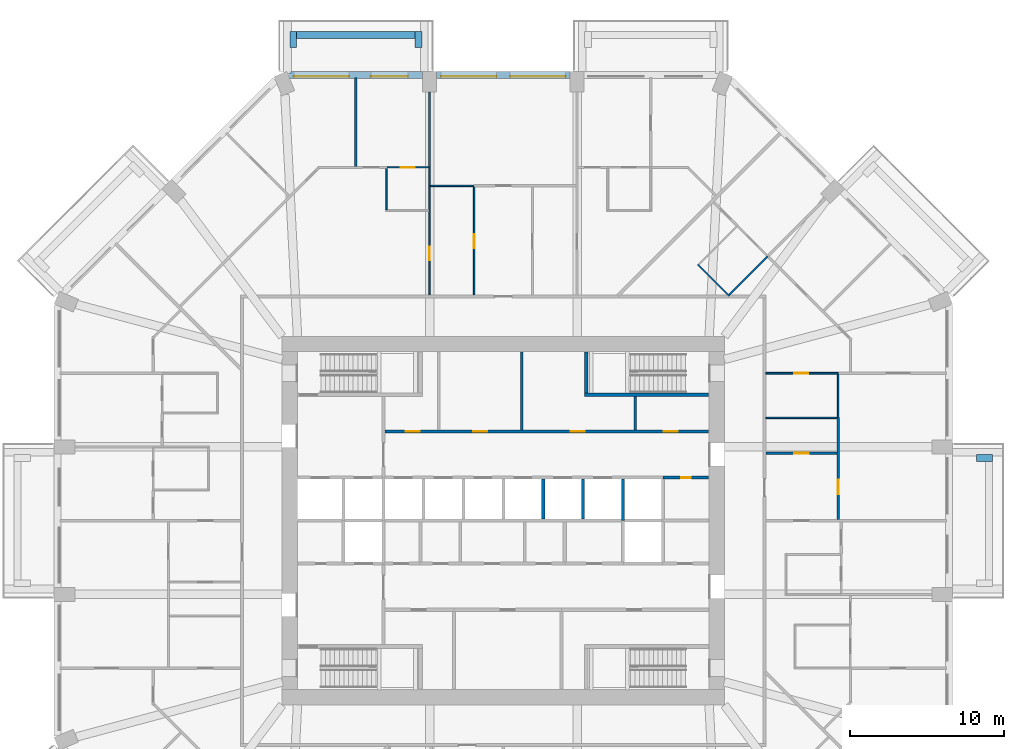
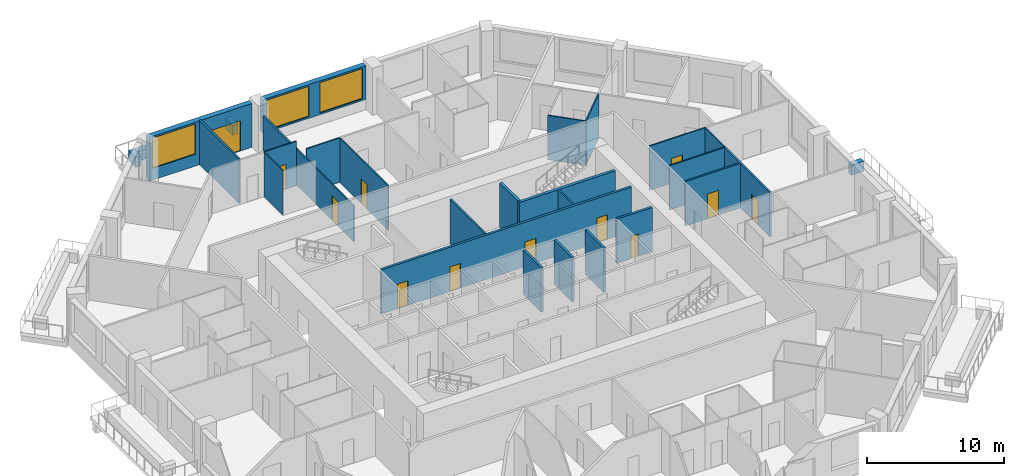
# One storey, part 9 of 13: 29 walls, 12 doors, 3 windows, 15 openings.
"""IFC4 building model written with IfcOpenShell, lengths in metres."""

import ifcopenshell
import ifcopenshell.guid

model = None  # the IFC model being written
_history = None  # IfcOwnerHistory: only IFC2X3 demands one
_inside = {}  # id of a spatial element -> (the spatial element, [elements in it])
_under = {}  # id of a project, library or spatial element -> (it, [spatial elements below it])
_declared = {}  # id of a project -> (the project, [libraries it declares])
_typed = {}  # id of a type object -> (the type object, [elements of that type])
_made_of = {}  # id of a material, layer set ... -> (it, [elements and type objects made of it])


def new_model(schema):
    """Start an empty IFC model of exactly this schema.

    Asked for "IFC4X3", IfcOpenShell would pick the latest addendum, in which some entities
    have other attributes; the version numbers below select the first issue.
    IFC2X3 requires an IfcOwnerHistory on every rooted entity: one is made here for all.
    """
    global model, _history
    if schema == "IFC4X3":
        model = ifcopenshell.file(schema_version=(4, 3, 0, 0))
    else:
        model = ifcopenshell.file(schema=schema)
    _inside.clear()
    _under.clear()
    _declared.clear()
    _typed.clear()
    _made_of.clear()
    _history = None
    if model.schema == "IFC2X3":
        org = make("IfcOrganization", Name="unknown")
        user = make(
            "IfcPersonAndOrganization",
            ThePerson=make("IfcPerson", FamilyName="unknown"),
            TheOrganization=org,
        )
        app = make(
            "IfcApplication",
            ApplicationDeveloper=org,
            Version="unknown",
            ApplicationFullName="unknown",
            ApplicationIdentifier="unknown",
        )
        _history = make(
            "IfcOwnerHistory",
            OwningUser=user,
            OwningApplication=app,
            ChangeAction="ADDED",
            CreationDate=0,
        )
    return model


def make(cls, **values):
    """One entity of the class cls with the attributes given. An attribute that is None is left unset."""
    return model.create_entity(
        cls, **{name: value for name, value in values.items() if value is not None}
    )


def rooted(cls, **values):
    """An entity with a GlobalId (a new one), such as an element, a storey or a relation."""
    return make(cls, GlobalId=ifcopenshell.guid.new(), OwnerHistory=_history, **values)


def si_unit(unit_type, name, prefix=None):
    """IfcSIUnit, for example si_unit("LENGTHUNIT", "METRE", prefix="MILLI")."""
    return make("IfcSIUnit", UnitType=unit_type, Prefix=prefix, Name=name)


def assignment(units):
    """IfcUnitAssignment: the units of a project."""
    return None if units is None else make("IfcUnitAssignment", Units=units)


def point(xyz):
    """IfcCartesianPoint."""
    return None if xyz is None else make("IfcCartesianPoint", Coordinates=xyz)


def direction(xyz):
    """IfcDirection."""
    return None if xyz is None else make("IfcDirection", DirectionRatios=xyz)


def frame(location, z_axis=None, x_axis=None):
    """IfcAxis2Placement3D, a coordinate frame: its origin and axes. An axis left out is left unset."""
    return make(
        "IfcAxis2Placement3D",
        Location=point(location),
        Axis=direction(z_axis),
        RefDirection=direction(x_axis),
    )


def frame_2d(location, x_axis=None):
    """IfcAxis2Placement2D, a coordinate frame in the plane: its origin and x axis."""
    return make(
        "IfcAxis2Placement2D", Location=point(location), RefDirection=direction(x_axis)
    )


def origin():
    """The frame at (0, 0, 0) with its axes left unset."""
    return frame((0.0, 0.0, 0.0))


def place(relative_to, where):
    """IfcLocalPlacement: puts the frame where relative to a parent placement (None: the world)."""
    return make(
        "IfcLocalPlacement", PlacementRelTo=relative_to, RelativePlacement=where
    )


def context(
    kind, dimensions, precision=None, world=None, true_north=None, identifier=None
):
    """IfcGeometricRepresentationContext, for example the 3D "Model" context."""
    return make(
        "IfcGeometricRepresentationContext",
        ContextIdentifier=identifier,
        ContextType=kind,
        CoordinateSpaceDimension=dimensions,
        Precision=precision,
        WorldCoordinateSystem=world,
        TrueNorth=true_north,
    )


def subcontext(parent, identifier, kind, view, scale=None):
    """IfcGeometricRepresentationSubContext, for example "Body" below "Model"."""
    return make(
        "IfcGeometricRepresentationSubContext",
        ContextIdentifier=identifier,
        ContextType=kind,
        ParentContext=parent,
        TargetScale=scale,
        TargetView=view,
    )


def project(units=None, contexts=None):
    """IfcProject with its units and contexts."""
    return rooted(
        "IfcProject",
        Name="project",
        RepresentationContexts=contexts,
        UnitsInContext=assignment(units),
    )


def spatial(cls, under=None, at=None, **own):
    """A site, building, storey or space (cls), placed at a placement, below another one or the project."""
    s = rooted(cls, ObjectPlacement=at, **own)
    if under is not None:
        _under.setdefault(under.id(), (under, []))[1].append(s)
    return s


def profile(cls, at=None, kind="AREA", **sizes):
    """A parametric profile (cls). Its sizes go by their IFC names, for example OverallWidth=200.0."""
    return make(cls, ProfileType=kind, Position=at, **sizes)


def rectangle(**sizes):
    """IfcRectangleProfileDef."""
    return profile("IfcRectangleProfileDef", **sizes)


def extrude(swept, where, along, depth):
    """IfcExtrudedAreaSolid: the profile swept, set in the frame where, extruded along a direction by depth."""
    return make(
        "IfcExtrudedAreaSolid",
        SweptArea=swept,
        Position=where,
        ExtrudedDirection=direction(along),
        Depth=depth,
    )


def shape(context_of_items, identifier, shape_type, items):
    """IfcShapeRepresentation: the items that make up one representation, for example the "Body"."""
    return make(
        "IfcShapeRepresentation",
        ContextOfItems=context_of_items,
        RepresentationIdentifier=identifier,
        RepresentationType=shape_type,
        Items=items,
    )


def material(Name=None, Category=None):
    """IfcMaterial."""
    return make("IfcMaterial", Name=Name, Category=Category)


def layer(
    of_material, thickness, ventilated=None, Name=None, Category=None, Priority=None
):
    """IfcMaterialLayer: one layer of a wall or slab, of a material (None: an air gap)."""
    return make(
        "IfcMaterialLayer",
        Material=of_material,
        LayerThickness=thickness,
        IsVentilated=ventilated,
        Name=Name,
        Category=Category,
        Priority=Priority,
    )


def layer_set(layers, Name=None):
    """IfcMaterialLayerSet."""
    return make("IfcMaterialLayerSet", MaterialLayers=layers, LayerSetName=Name)


def made_of(thing, what):
    """Note that an element or type object is made of a material, layer set ...; save() writes the relation."""
    if what is not None:
        _made_of.setdefault(what.id(), (what, []))[1].append(thing)
    return thing


def type_object(cls, material=None, **own):
    """A type object (cls), such as IfcWallType, which elements share."""
    return made_of(rooted(cls, **own), material)


def element(
    cls,
    number,
    at=None,
    inside=None,
    cuts=None,
    type_object=None,
    material=None,
    context=None,
    identifier="Body",
    shape_type=None,
    held_by="IfcProductDefinitionShape",
    body=None,
    shapes=None,
    **own,
):
    """One element of the class cls, such as IfcWall. Its Tag is "e" and its number.

    at: its placement. inside: the storey or other place that contains it. cuts: it is an
    opening in that element (IfcRelVoidsElement). A single representation is given by context,
    identifier, shape_type and body (its items); several are given by shapes. held_by: the class
    of the entity that holds the representations. save() writes the other relations.
    """
    e = rooted(cls, Tag="e%d" % number, ObjectPlacement=at, **own)
    if body is not None:
        shapes = [shape(context, identifier, shape_type, body)]
    if shapes is not None:
        e.Representation = make(held_by, Representations=shapes)
    if inside is not None:
        _inside.setdefault(inside.id(), (inside, []))[1].append(e)
    if cuts is not None:
        rooted(
            "IfcRelVoidsElement", RelatingBuildingElement=cuts, RelatedOpeningElement=e
        )
    if type_object is not None:
        _typed.setdefault(type_object.id(), (type_object, []))[1].append(e)
    return made_of(e, material)


def fill(opening, filler):
    """IfcRelFillsElement: the door or window that sits in an opening."""
    return rooted(
        "IfcRelFillsElement",
        RelatingOpeningElement=opening,
        RelatedBuildingElement=filler,
    )


def aggregate(whole, parts):
    """IfcRelAggregates: a whole, such as a stair, and the parts it consists of."""
    return rooted("IfcRelAggregates", RelatingObject=whole, RelatedObjects=parts)


def save(model, path):
    """Write the relations noted so far, then the file.

    IfcRelAggregates (storeys below a building ...), IfcRelContainedInSpatialStructure (elements
    in a storey), IfcRelDefinesByType, IfcRelAssociatesMaterial and IfcRelDeclares: one each for
    every whole, place, type object, material and project.
    """
    for whole, parts in _under.values():
        aggregate(whole, parts)
    for where, things in _inside.values():
        rooted(
            "IfcRelContainedInSpatialStructure",
            RelatedElements=things,
            RelatingStructure=where,
        )
    for kind, things in _typed.values():
        rooted("IfcRelDefinesByType", RelatedObjects=things, RelatingType=kind)
    for what, things in _made_of.values():
        rooted("IfcRelAssociatesMaterial", RelatedObjects=things, RelatingMaterial=what)
    for by, libraries in _declared.values():
        rooted("IfcRelDeclares", RelatingContext=by, RelatedDefinitions=libraries)
    model.write(path)


model = new_model("IFC4")

# Units and contexts
model_context = context("Model", 3, precision=1e-05, world=origin(), true_north=direction((0.0, 1.0)))
body_context = subcontext(model_context, "Body", "Model", "MODEL_VIEW")
ifc_project = project(units=[si_unit("LENGTHUNIT", "METRE"), si_unit("AREAUNIT", "SQUARE_METRE"), si_unit("VOLUMEUNIT", "CUBIC_METRE"), si_unit("PLANEANGLEUNIT", "RADIAN"), si_unit("MASSUNIT", "GRAM", prefix="KILO")], contexts=[model_context])

# Site, building, storey
site_placement = place(None, origin())
site = spatial("IfcSite", under=ifc_project, at=site_placement, CompositionType="ELEMENT")
building_placement = place(site_placement, origin())
building = spatial("IfcBuilding", under=site, at=building_placement, Name="Msitu Wima Residences", CompositionType="ELEMENT")
storey_placement = place(building_placement, frame((0.0, 0.0, 71.699951171875)))
storey = spatial("IfcBuildingStorey", under=building, at=storey_placement, Name="L16", CompositionType="ELEMENT", Elevation=71.699951171875)

# Walls
ifc_material_1 = material(Name="Facing brick")
ifc_layer_1 = layer(ifc_material_1, 0.06494140625, Name="Facing brick")
ifc_material_2 = material(Name="Concrete C40/50", Category="concrete")
ifc_layer_2 = layer(ifc_material_2, 0.156005859375, Name="Concrete C40/50")
ifc_material_3 = material(Name="Waterproofing membrane")
ifc_layer_3 = layer(ifc_material_3, 0.00390625, Name="Waterproofing membrane")
ifc_material_4 = material(Name="Planting soil and planting")
ifc_layer_4 = layer(ifc_material_4, 0.22509765625, Name="Planting soil and planting")
ifc_layer_set_1 = layer_set([ifc_layer_1, ifc_layer_2, ifc_layer_3, ifc_layer_4], Name="Concrete C40/50")
wall_type_1 = type_object("IfcWallType", Name="Balcony planter PLANTER PL450", PredefinedType="USERDEFINED", material=ifc_layer_set_1)
wall_1_placement = place(storey_placement, frame((30.800048828125, 4.074951171875, 0.0), z_axis=(0.0, 0.0, 1.0), x_axis=(1.0, 0.0, 0.0)))
element("IfcWall", 1, at=wall_1_placement, inside=storey, type_object=wall_type_1, Name="Balcony planter E1 L16", ObjectType="PLANTER", PredefinedType="USERDEFINED", context=body_context, shape_type="SweptSolid", body=[
    extrude(rectangle(XDim=1.050048828125, YDim=0.449951171875, at=frame_2d((0.52490234375, 0.0))), origin(), (0.0, 0.0, 1.0), 0.900146484375),
])
wall_2_placement = place(storey_placement, frame((-5.75, 31.625, 0.0), z_axis=(0.0, 0.0, 1.0), x_axis=(-1.0, 0.0, 0.0)))
element("IfcWall", 2, at=wall_2_placement, inside=storey, type_object=wall_type_1, Name="Balcony planter N2 L16", ObjectType="PLANTER", PredefinedType="USERDEFINED", context=body_context, shape_type="SweptSolid", body=[
    extrude(rectangle(XDim=7.699951171875, YDim=0.449951171875, at=frame_2d((3.85009765625, 0.0))), origin(), (0.0, 0.0, 1.0), 0.900146484375),
])
for number, where, z_axis, x_axis, name in (
    (3, (-5.52490234375, 30.800048828125, 0.0), (0.0, 0.0, 1.0), (0.0, 1.0, 0.0), "Balcony planter N2 L16"),
    (4, (-13.675048828125, 30.800048828125, 0.0), (0.0, 0.0, 1.0), (0.0, 1.0, 0.0), "Balcony planter N2 L16"),
):
    element("IfcWall", number, at=place(storey_placement, frame(where, z_axis=z_axis, x_axis=x_axis)), inside=storey, type_object=wall_type_1, Name=name, ObjectType="PLANTER", PredefinedType="USERDEFINED", context=body_context, shape_type="SweptSolid", body=[
        extrude(rectangle(XDim=1.050048828125, YDim=0.449951171875, at=frame_2d((0.52490234375, 0.0))), origin(), (0.0, 0.0, 1.0), 0.900146484375),
    ])

# Wall, openings, windows
ifc_material_5 = material(Name="Brick (red buff mix)", Category="masonry")
ifc_layer_5 = layer(ifc_material_5, 0.449951171875)
ifc_layer_set_2 = layer_set([ifc_layer_5], Name="Brick (red buff mix)")
wall_type_2 = type_object("IfcWallType", Name="Brick infill wall BW450", PredefinedType="SOLIDWALL", material=ifc_layer_set_2)
wall_3_placement = place(storey_placement, frame((4.35009765625, 29.02490234375, 0.900146484375), z_axis=(0.0, 0.0, 1.0), x_axis=(-1.0, 0.0, 0.0)))
wall_3 = element("IfcWall", 5, at=wall_3_placement, inside=storey, type_object=wall_type_2, Name="Brick infill wall L16 N1", PredefinedType="SOLIDWALL", context=body_context, shape_type="SweptSolid", body=[
    extrude(rectangle(XDim=8.7001953125, YDim=0.449951171875, at=frame_2d((4.35009765625, 0.0))), origin(), (0.0, 0.0, 1.0), 3.0),
])
opening_1_placement = place(wall_3_placement, frame((0.300048828125, 0.0, 0.14990234375)))
opening_1 = element("IfcOpeningElement", 6, at=opening_1_placement, cuts=wall_3, Name="Opening W16-17.007", PredefinedType="OPENING", context=body_context, shape_type="SweptSolid", body=[
    extrude(rectangle(XDim=3.60009765625, YDim=2.699951171875, at=frame_2d((1.800048828125, 1.35009765625))), frame((0.0, 0.23486328125, 0.0), z_axis=(0.0, -1.0, 0.0), x_axis=(1.0, 0.0, 0.0)), (0.0, 0.0, 1.0), 0.469970703125),
])
opening_2_placement = place(wall_3_placement, frame((4.800048828125, 0.0, 0.14990234375)))
opening_2 = element("IfcOpeningElement", 7, at=opening_2_placement, cuts=wall_3, Name="Opening W16-17.008", PredefinedType="OPENING", context=body_context, shape_type="SweptSolid", body=[
    extrude(rectangle(XDim=3.60009765625, YDim=2.699951171875, at=frame_2d((1.800048828125, 1.35009765625))), frame((0.0, 0.23486328125, 0.0), z_axis=(0.0, -1.0, 0.0), x_axis=(1.0, 0.0, 0.0)), (0.0, 0.0, 1.0), 0.469970703125),
])
ifc_material_6 = material(Name="Anodised aluminium, bronze finish, clear low-emissivity double glazing", Category="aluminium")
window_type = type_object("IfcWindowType", Name="Window W3600x2700", PartitioningType="DOUBLE_PANEL_VERTICAL", PredefinedType="WINDOW", material=ifc_material_6)
window_1_placement = place(opening_1_placement, origin())
window_1 = element("IfcWindow", 8, at=window_1_placement, inside=storey, type_object=window_type, Name="Window L16 N1.1", OverallHeight=2.699951171875, OverallWidth=3.60009765625, PartitioningType="SINGLE_PANEL", PredefinedType="WINDOW", context=body_context, shape_type="SweptSolid", body=[
    extrude(rectangle(XDim=3.60009765625, YDim=2.699951171875, at=frame_2d((1.800048828125, 1.35009765625))), frame((0.0, 0.135009765625, 0.0), z_axis=(0.0, -1.0, 0.0), x_axis=(1.0, 0.0, 0.0)), (0.0, 0.0, 1.0), 0.06005859375),
])
fill(opening_1, window_1)
window_2_placement = place(opening_2_placement, origin())
window_2 = element("IfcWindow", 9, at=window_2_placement, inside=storey, type_object=window_type, Name="Window L16 N1.2", OverallHeight=2.699951171875, OverallWidth=3.60009765625, PartitioningType="SINGLE_PANEL", PredefinedType="WINDOW", context=body_context, shape_type="SweptSolid", body=[
    extrude(rectangle(XDim=3.60009765625, YDim=2.699951171875, at=frame_2d((1.800048828125, 1.35009765625))), frame((0.0, 0.135009765625, 0.0), z_axis=(0.0, -1.0, 0.0), x_axis=(1.0, 0.0, 0.0)), (0.0, 0.0, 1.0), 0.06005859375),
])
fill(opening_2, window_2)

# Wall, openings, door, window
wall_4_placement = place(storey_placement, frame((-5.25, 29.02490234375, 0.0), z_axis=(0.0, 0.0, 1.0), x_axis=(-1.0, 0.0, 0.0)))
wall_4 = element("IfcWall", 10, at=wall_4_placement, inside=storey, type_object=wall_type_2, Name="Brick infill wall L16 N2", PredefinedType="SOLIDWALL", context=body_context, shape_type="SweptSolid", body=[
    extrude(rectangle(XDim=8.662841796875, YDim=0.449951171875, at=frame_2d((4.33154296875, 0.0))), origin(), (0.0, 0.0, 1.0), 3.900146484375),
])
opening_3_placement = place(wall_4_placement, frame((0.9658203125, 0.0, 0.0)))
opening_3 = element("IfcOpeningElement", 11, at=opening_3_placement, cuts=wall_4, Name="Opening D16-17.003", PredefinedType="OPENING", context=body_context, shape_type="SweptSolid", body=[
    extrude(rectangle(XDim=2.39990234375, YDim=2.699951171875, at=frame_2d((1.199951171875, 1.35009765625))), frame((0.0, 0.23486328125, 0.0), z_axis=(0.0, -1.0, 0.0), x_axis=(1.0, 0.0, 0.0)), (0.0, 0.0, 1.0), 0.469970703125),
])
opening_4_placement = place(wall_4_placement, frame((4.781494140625, 0.0, 1.050048828125)))
opening_4 = element("IfcOpeningElement", 12, at=opening_4_placement, cuts=wall_4, Name="Opening W16-17.009", PredefinedType="OPENING", context=body_context, shape_type="SweptSolid", body=[
    extrude(rectangle(XDim=3.60009765625, YDim=2.699951171875, at=frame_2d((1.800048828125, 1.35009765625))), frame((0.0, 0.23486328125, 0.0), z_axis=(0.0, -1.0, 0.0), x_axis=(1.0, 0.0, 0.0)), (0.0, 0.0, 1.0), 0.469970703125),
])
door_type_1 = type_object("IfcDoorType", Name="Balcony door D2400x2700", OperationType="SLIDING_TO_LEFT", PredefinedType="DOOR", material=ifc_material_6)
door_1_placement = place(opening_3_placement, origin())
door_1 = element("IfcDoor", 13, at=door_1_placement, inside=storey, type_object=door_type_1, Name="Balcony door L16 N2", OperationType="SINGLE_SWING_LEFT", OverallHeight=2.699951171875, OverallWidth=2.39990234375, PredefinedType="DOOR", context=body_context, shape_type="SweptSolid", body=[
    extrude(rectangle(XDim=2.39990234375, YDim=2.699951171875, at=frame_2d((1.199951171875, 1.35009765625))), frame((0.0, 0.1298828125, 0.0), z_axis=(0.0, -1.0, 0.0), x_axis=(1.0, 0.0, 0.0)), (0.0, 0.0, 1.0), 0.050048828125),
])
fill(opening_3, door_1)
window_3_placement = place(opening_4_placement, origin())
window_3 = element("IfcWindow", 14, at=window_3_placement, inside=storey, type_object=window_type, Name="Window L16 N2.2", OverallHeight=2.699951171875, OverallWidth=3.60009765625, PartitioningType="SINGLE_PANEL", PredefinedType="WINDOW", context=body_context, shape_type="SweptSolid", body=[
    extrude(rectangle(XDim=3.60009765625, YDim=2.699951171875, at=frame_2d((1.800048828125, 1.35009765625))), frame((0.0, 0.135009765625, 0.0), z_axis=(0.0, -1.0, 0.0), x_axis=(1.0, 0.0, 0.0)), (0.0, 0.0, 1.0), 0.06005859375),
])
fill(opening_4, window_3)

# Wall, openings, doors
ifc_material_7 = material(Name="Plaster")
ifc_layer_6 = layer(ifc_material_7, 0.011962890625, Name="Plaster")
ifc_material_8 = material(Name="Concrete blockwork", Category="masonry")
ifc_layer_7 = layer(ifc_material_8, 0.176025390625, Name="Concrete blockwork")
ifc_layer_8 = layer(ifc_material_7, 0.011962890625, Name="Plaster")
ifc_layer_set_3 = layer_set([ifc_layer_6, ifc_layer_7, ifc_layer_8], Name="Concrete blockwork")
wall_type_3 = type_object("IfcWallType", Name="Corridor wall FW200", PredefinedType="PARTITIONING", material=ifc_layer_set_3)
wall_5_placement = place(storey_placement, frame((-7.699951171875, 5.800048828125, 0.0), z_axis=(0.0, 0.0, 1.0), x_axis=(1.0, 0.0, 0.0)))
wall_5 = element("IfcWall", 15, at=wall_5_placement, inside=storey, type_object=wall_type_3, Name="Corridor wall", PredefinedType="PARTITIONING", context=body_context, shape_type="SweptSolid", body=[
    extrude(rectangle(XDim=21.070068359375, YDim=0.199951171875, at=frame_2d((10.53515625, 0.0))), origin(), (0.0, 0.0, 1.0), 3.949951171875),
])
opening_5_placement = place(wall_5_placement, frame((1.35009765625, 0.0, 0.0)))
opening_5 = element("IfcOpeningElement", 16, at=opening_5_placement, cuts=wall_5, Name="Opening D16-17.020", PredefinedType="OPENING", context=body_context, shape_type="SweptSolid", body=[
    extrude(rectangle(XDim=0.89990234375, YDim=2.199951171875, at=frame_2d((0.449951171875, 1.10009765625))), frame((0.0, 0.10986328125, 0.0), z_axis=(0.0, -1.0, 0.0), x_axis=(1.0, 0.0, 0.0)), (0.0, 0.0, 1.0), 0.219970703125),
])
opening_6_placement = place(wall_5_placement, frame((5.75, 0.0, 0.0)))
opening_6 = element("IfcOpeningElement", 17, at=opening_6_placement, cuts=wall_5, Name="Opening D16-17.021", PredefinedType="OPENING", context=body_context, shape_type="SweptSolid", body=[
    extrude(rectangle(XDim=0.89990234375, YDim=2.199951171875, at=frame_2d((0.449951171875, 1.10009765625))), frame((0.0, 0.10986328125, 0.0), z_axis=(0.0, -1.0, 0.0), x_axis=(1.0, 0.0, 0.0)), (0.0, 0.0, 1.0), 0.219970703125),
])
opening_7_placement = place(wall_5_placement, frame((12.10009765625, 0.0, 0.0)))
opening_7 = element("IfcOpeningElement", 18, at=opening_7_placement, cuts=wall_5, Name="Opening D16-17.022", PredefinedType="OPENING", context=body_context, shape_type="SweptSolid", body=[
    extrude(rectangle(XDim=0.89990234375, YDim=2.199951171875, at=frame_2d((0.449951171875, 1.10009765625))), frame((0.0, 0.10986328125, 0.0), z_axis=(0.0, -1.0, 0.0), x_axis=(1.0, 0.0, 0.0)), (0.0, 0.0, 1.0), 0.219970703125),
])
opening_8_placement = place(wall_5_placement, frame((18.14990234375, 0.0, 0.0)))
opening_8 = element("IfcOpeningElement", 19, at=opening_8_placement, cuts=wall_5, Name="Opening D16-17.023", PredefinedType="OPENING", context=body_context, shape_type="SweptSolid", body=[
    extrude(rectangle(XDim=0.89990234375, YDim=2.199951171875, at=frame_2d((0.449951171875, 1.10009765625))), frame((0.0, 0.10986328125, 0.0), z_axis=(0.0, -1.0, 0.0), x_axis=(1.0, 0.0, 0.0)), (0.0, 0.0, 1.0), 0.219970703125),
])
ifc_material_9 = material(Name="Timber flush door", Category="wood")
door_type_2 = type_object("IfcDoorType", Name="Service door D05 900x2200", OperationType="SINGLE_SWING_LEFT", PredefinedType="DOOR", material=ifc_material_9)
door_2_placement = place(opening_5_placement, origin())
door_2 = element("IfcDoor", 20, at=door_2_placement, inside=storey, type_object=door_type_2, Name="Service door", OperationType="SINGLE_SWING_RIGHT", OverallHeight=2.199951171875, OverallWidth=0.89990234375, PredefinedType="DOOR", context=body_context, shape_type="SweptSolid", body=[
    extrude(rectangle(XDim=0.89990234375, YDim=2.199951171875, at=frame_2d((0.449951171875, 1.10009765625))), frame((0.0, 0.02490234375, 0.0), z_axis=(0.0, -1.0, 0.0), x_axis=(1.0, 0.0, 0.0)), (0.0, 0.0, 1.0), 0.050048828125),
])
fill(opening_5, door_2)
door_3_placement = place(opening_6_placement, origin())
door_3 = element("IfcDoor", 21, at=door_3_placement, inside=storey, type_object=door_type_2, Name="Service door", OperationType="SINGLE_SWING_LEFT", OverallHeight=2.199951171875, OverallWidth=0.89990234375, PredefinedType="DOOR", context=body_context, shape_type="SweptSolid", body=[
    extrude(rectangle(XDim=0.89990234375, YDim=2.199951171875, at=frame_2d((0.449951171875, 1.10009765625))), frame((0.0, 0.02490234375, 0.0), z_axis=(0.0, -1.0, 0.0), x_axis=(1.0, 0.0, 0.0)), (0.0, 0.0, 1.0), 0.050048828125),
])
fill(opening_6, door_3)
door_4_placement = place(opening_7_placement, origin())
door_4 = element("IfcDoor", 22, at=door_4_placement, inside=storey, type_object=door_type_2, Name="Service door", OperationType="SINGLE_SWING_RIGHT", OverallHeight=2.199951171875, OverallWidth=0.89990234375, PredefinedType="DOOR", context=body_context, shape_type="SweptSolid", body=[
    extrude(rectangle(XDim=0.89990234375, YDim=2.199951171875, at=frame_2d((0.449951171875, 1.10009765625))), frame((0.0, 0.02490234375, 0.0), z_axis=(0.0, -1.0, 0.0), x_axis=(1.0, 0.0, 0.0)), (0.0, 0.0, 1.0), 0.050048828125),
])
fill(opening_7, door_4)
door_5_placement = place(opening_8_placement, origin())
door_5 = element("IfcDoor", 23, at=door_5_placement, inside=storey, type_object=door_type_2, Name="Service door", OperationType="SINGLE_SWING_LEFT", OverallHeight=2.199951171875, OverallWidth=0.89990234375, PredefinedType="DOOR", context=body_context, shape_type="SweptSolid", body=[
    extrude(rectangle(XDim=0.89990234375, YDim=2.199951171875, at=frame_2d((0.449951171875, 1.10009765625))), frame((0.0, 0.02490234375, 0.0), z_axis=(0.0, -1.0, 0.0), x_axis=(1.0, 0.0, 0.0)), (0.0, 0.0, 1.0), 0.050048828125),
])
fill(opening_8, door_5)

# Walls
ifc_layer_9 = layer(ifc_material_7, 0.011962890625, Name="Plaster")
ifc_layer_10 = layer(ifc_material_8, 0.1259765625, Name="Concrete blockwork")
ifc_layer_11 = layer(ifc_material_7, 0.011962890625, Name="Plaster")
ifc_layer_set_4 = layer_set([ifc_layer_9, ifc_layer_10, ifc_layer_11], Name="Concrete blockwork")
wall_type_4 = type_object("IfcWallType", Name="Partition PW150", PredefinedType="PARTITIONING", material=ifc_layer_set_4)
wall_6_placement = place(storey_placement, frame((-9.60009765625, 23.074951171875, 0.0), z_axis=(0.0, 0.0, 1.0), x_axis=(0.0, 1.0, 0.0)))
element("IfcWall", 24, at=wall_6_placement, inside=storey, type_object=wall_type_4, Name="Partition", PredefinedType="PARTITIONING", context=body_context, shape_type="SweptSolid", body=[
    extrude(rectangle(XDim=5.780029296875, YDim=0.14990234375, at=frame_2d((2.89013671875, 0.0))), origin(), (0.0, 0.0, 1.0), 3.949951171875),
])
wall_7_placement = place(storey_placement, frame((-4.800048828125, 23.02001953125, 0.0), z_axis=(0.0, 0.0, 1.0), x_axis=(0.0, 1.0, 0.0)))
element("IfcWall", 25, at=wall_7_placement, inside=storey, type_object=wall_type_4, Name="Partition", PredefinedType="PARTITIONING", context=body_context, shape_type="SweptSolid", body=[
    extrude(rectangle(XDim=4.8798828125, YDim=0.14990234375, at=frame_2d((2.43994140625, 0.0))), origin(), (0.0, 0.0, 1.0), 3.199951171875),
])
wall_8_placement = place(storey_placement, frame((1.199951171875, 5.89990234375, 0.0), z_axis=(0.0, 0.0, 1.0), x_axis=(0.0, 1.0, 0.0)))
element("IfcWall", 26, at=wall_8_placement, inside=storey, type_object=wall_type_4, Name="Partition", PredefinedType="PARTITIONING", context=body_context, shape_type="SweptSolid", body=[
    extrude(rectangle(XDim=5.070068359375, YDim=0.14990234375, at=frame_2d((2.53515625, 0.0))), origin(), (0.0, 0.0, 1.0), 3.949951171875),
])
wall_9_placement = place(storey_placement, frame((8.60009765625, 5.89990234375, 0.0), z_axis=(0.0, 0.0, 1.0), x_axis=(0.0, 1.0, 0.0)))
element("IfcWall", 27, at=wall_9_placement, inside=storey, type_object=wall_type_4, Name="Partition", PredefinedType="PARTITIONING", context=body_context, shape_type="SweptSolid", body=[
    extrude(rectangle(XDim=2.175048828125, YDim=0.14990234375, at=frame_2d((1.08740234375, 0.0))), origin(), (0.0, 0.0, 1.0), 3.949951171875),
])

# Wall, opening, door
wall_10_placement = place(storey_placement, frame((17.10009765625, 4.39990234375, 0.0), z_axis=(0.0, 0.0, 1.0), x_axis=(1.0, 0.0, 0.0)))
wall_10 = element("IfcWall", 28, at=wall_10_placement, inside=storey, type_object=wall_type_4, Name="Partition", PredefinedType="PARTITIONING", context=body_context, shape_type="SweptSolid", body=[
    extrude(rectangle(XDim=4.625, YDim=0.14990234375, at=frame_2d((2.3125, 0.0))), origin(), (0.0, 0.0, 1.0), 3.949951171875),
])
opening_9_placement = place(wall_10_placement, frame((1.85009765625, 0.0, 0.0)))
opening_9 = element("IfcOpeningElement", 29, at=opening_9_placement, cuts=wall_10, Name="Opening D16-17.081", PredefinedType="OPENING", context=body_context, shape_type="SweptSolid", body=[
    extrude(rectangle(XDim=0.949951171875, YDim=2.199951171875, at=frame_2d((0.47509765625, 1.10009765625))), frame((0.0, 0.0849609375, 0.0), z_axis=(0.0, -1.0, 0.0), x_axis=(1.0, 0.0, 0.0)), (0.0, 0.0, 1.0), 0.169921875),
])
door_type_3 = type_object("IfcDoorType", Name="Room door D12 950x2200", OperationType="SINGLE_SWING_LEFT", PredefinedType="DOOR", material=ifc_material_9)
door_6_placement = place(opening_9_placement, origin())
door_6 = element("IfcDoor", 30, at=door_6_placement, inside=storey, type_object=door_type_3, Name="Room door", OperationType="SINGLE_SWING_RIGHT", OverallHeight=2.199951171875, OverallWidth=0.949951171875, PredefinedType="DOOR", context=body_context, shape_type="SweptSolid", body=[
    extrude(rectangle(XDim=0.949951171875, YDim=2.199951171875, at=frame_2d((0.47509765625, 1.10009765625))), frame((0.0, 0.02490234375, 0.0), z_axis=(0.0, -1.0, 0.0), x_axis=(1.0, 0.0, 0.0)), (0.0, 0.0, 1.0), 0.050048828125),
])
fill(opening_9, door_6)

wall_11_placement = place(storey_placement, frame((21.800048828125, 0.074951171875, 0.0), z_axis=(0.0, 0.0, 1.0), x_axis=(0.0, 1.0, 0.0)))
wall_11 = element("IfcWall", 31, at=wall_11_placement, inside=storey, type_object=wall_type_4, Name="Partition", PredefinedType="PARTITIONING", context=body_context, shape_type="SweptSolid", body=[
    extrude(rectangle(XDim=6.64501953125, YDim=0.14990234375, at=frame_2d((3.322509765625, 0.0))), origin(), (0.0, 0.0, 1.0), 3.949951171875),
])
opening_10_placement = place(wall_11_placement, frame((1.64990234375, 0.0, 0.0)))
opening_10 = element("IfcOpeningElement", 32, at=opening_10_placement, cuts=wall_11, Name="Opening D16-17.077", PredefinedType="OPENING", context=body_context, shape_type="SweptSolid", body=[
    extrude(rectangle(XDim=0.949951171875, YDim=2.199951171875, at=frame_2d((0.47509765625, 1.10009765625))), frame((0.0, 0.0849609375, 0.0), z_axis=(0.0, -1.0, 0.0), x_axis=(1.0, 0.0, 0.0)), (0.0, 0.0, 1.0), 0.169921875),
])
door_7_placement = place(opening_10_placement, origin())
door_7 = element("IfcDoor", 33, at=door_7_placement, inside=storey, type_object=door_type_3, Name="Room door", OperationType="SINGLE_SWING_RIGHT", OverallHeight=2.199951171875, OverallWidth=0.949951171875, PredefinedType="DOOR", context=body_context, shape_type="SweptSolid", body=[
    extrude(rectangle(XDim=0.949951171875, YDim=2.199951171875, at=frame_2d((0.47509765625, 1.10009765625))), frame((0.0, 0.02490234375, 0.0), z_axis=(0.0, -1.0, 0.0), x_axis=(1.0, 0.0, 0.0)), (0.0, 0.0, 1.0), 0.050048828125),
])
fill(opening_10, door_7)

ifc_layer_12 = layer(ifc_material_7, 0.011962890625, Name="Plaster")
ifc_material_10 = material(Name="Reinforced concrete blockwork", Category="masonry")
ifc_layer_13 = layer(ifc_material_10, 0.176025390625, Name="Reinforced concrete blockwork")
ifc_layer_14 = layer(ifc_material_7, 0.011962890625, Name="Plaster")
ifc_layer_set_5 = layer_set([ifc_layer_12, ifc_layer_13, ifc_layer_14], Name="Reinforced concrete blockwork")
wall_type_5 = type_object("IfcWallType", Name="Plant and riser wall PL200", PredefinedType="PARTITIONING", material=ifc_layer_set_5)
wall_12_placement = place(storey_placement, frame((10.39990234375, 2.800048828125, 0.0), z_axis=(0.0, 0.0, 1.0), x_axis=(1.0, 0.0, 0.0)))
wall_12 = element("IfcWall", 34, at=wall_12_placement, inside=storey, type_object=wall_type_5, Name="Plant and riser wall", PredefinedType="PARTITIONING", context=body_context, shape_type="SweptSolid", body=[
    extrude(rectangle(XDim=2.97021484375, YDim=0.199951171875, at=frame_2d((1.485107421875, 0.0))), origin(), (0.0, 0.0, 1.0), 3.949951171875),
])
opening_11_placement = place(wall_12_placement, frame((1.199951171875, 0.0, 0.0)))
opening_11 = element("IfcOpeningElement", 35, at=opening_11_placement, cuts=wall_12, Name="Opening D16-17.029", PredefinedType="OPENING", context=body_context, shape_type="SweptSolid", body=[
    extrude(rectangle(XDim=0.60009765625, YDim=2.0, at=frame_2d((0.300048828125, 1.0))), frame((0.0, 0.10986328125, 0.0), z_axis=(0.0, -1.0, 0.0), x_axis=(1.0, 0.0, 0.0)), (0.0, 0.0, 1.0), 0.219970703125),
])
ifc_material_11 = material(Name="Steel access door, fire resisting", Category="steel")
door_type_4 = type_object("IfcDoorType", Name="Riser access door D08 600x2000", OperationType="SINGLE_SWING_LEFT", PredefinedType="DOOR", material=ifc_material_11)
door_8_placement = place(opening_11_placement, origin())
door_8 = element("IfcDoor", 36, at=door_8_placement, inside=storey, type_object=door_type_4, Name="Riser access door", OperationType="SINGLE_SWING_RIGHT", OverallHeight=2.0, OverallWidth=0.60009765625, PredefinedType="DOOR", context=body_context, shape_type="SweptSolid", body=[
    extrude(rectangle(XDim=0.60009765625, YDim=2.0, at=frame_2d((0.300048828125, 1.0))), frame((0.0, 0.02490234375, 0.0), z_axis=(0.0, -1.0, 0.0), x_axis=(1.0, 0.0, 0.0)), (0.0, 0.0, 1.0), 0.050048828125),
])
fill(opening_11, door_8)

# Walls
ifc_material_12 = material(Name="Fire-rated board")
ifc_layer_15 = layer(ifc_material_12, 0.02490234375, Name="Fire-rated board")
ifc_material_13 = material(Name="Light-gauge stud framing with mineral wool")
ifc_layer_16 = layer(ifc_material_13, 0.14990234375, Name="Light-gauge stud framing with mineral wool")
ifc_layer_17 = layer(ifc_material_12, 0.02490234375, Name="Fire-rated board")
ifc_layer_set_6 = layer_set([ifc_layer_15, ifc_layer_16, ifc_layer_17], Name="Light-gauge stud framing with mineral wool")
wall_type_6 = type_object("IfcWallType", Name="Shaft wall SH200", PredefinedType="PARTITIONING", material=ifc_layer_set_6)
for number, where, z_axis, x_axis, name in (
    (37, (2.60009765625, 0.10009765625, 0.0), (0.0, 0.0, 1.0), (0.0, 1.0, 0.0), "Shaft wall"),
    (38, (5.199951171875, 0.10009765625, 0.0), (0.0, 0.0, 1.0), (0.0, 1.0, 0.0), "Shaft wall"),
):
    element("IfcWall", number, at=place(storey_placement, frame(where, z_axis=z_axis, x_axis=x_axis)), inside=storey, type_object=wall_type_6, Name=name, PredefinedType="PARTITIONING", context=body_context, shape_type="SweptSolid", body=[
        extrude(rectangle(XDim=2.599853515625, YDim=0.199951171875, at=frame_2d((1.2998046875, 0.0))), origin(), (0.0, 0.0, 1.0), 3.949951171875),
    ])
wall_13_placement = place(storey_placement, frame((7.800048828125, 0.0, 0.0), z_axis=(0.0, 0.0, 1.0), x_axis=(0.0, 1.0, 0.0)))
element("IfcWall", 39, at=wall_13_placement, inside=storey, type_object=wall_type_6, Name="Shaft wall", PredefinedType="PARTITIONING", context=body_context, shape_type="SweptSolid", body=[
    extrude(rectangle(XDim=2.699951171875, YDim=0.199951171875, at=frame_2d((1.35009765625, 0.0))), origin(), (0.0, 0.0, 1.0), 3.949951171875),
])
ifc_material_14 = material(Name="Concrete C50/60", Category="concrete")
ifc_layer_18 = layer(ifc_material_14, 0.25)
ifc_layer_set_7 = layer_set([ifc_layer_18], Name="Concrete C50/60")
wall_type_7 = type_object("IfcWallType", Name="Stair enclosure wall SW250", PredefinedType="SHEAR", material=ifc_layer_set_7)
wall_14_placement = place(storey_placement, frame((5.39990234375, 8.324951171875, 0.0), z_axis=(0.0, 0.0, 1.0), x_axis=(0.0, 1.0, 0.0)))
element("IfcWall", 40, at=wall_14_placement, inside=storey, type_object=wall_type_7, Name="Stair enclosure wall", PredefinedType="SHEAR", context=body_context, shape_type="SweptSolid", body=[
    extrude(rectangle(XDim=2.64501953125, YDim=0.25, at=frame_2d((1.322509765625, 0.0))), origin(), (0.0, 0.0, 1.0), 3.949951171875),
])
wall_15_placement = place(storey_placement, frame((5.27490234375, 8.199951171875, 0.0), z_axis=(0.0, 0.0, 1.0), x_axis=(1.0, 0.0, 0.0)))
element("IfcWall", 41, at=wall_15_placement, inside=storey, type_object=wall_type_7, Name="Stair enclosure wall", PredefinedType="SHEAR", context=body_context, shape_type="SweptSolid", body=[
    extrude(rectangle(XDim=8.09521484375, YDim=0.25, at=frame_2d((4.047607421875, 0.0))), origin(), (0.0, 0.0, 1.0), 3.949951171875),
])

# Wall, opening, door
ifc_material_15 = material(Name="Ceramic tiles")
ifc_layer_19 = layer(ifc_material_15, 0.008056640625, Name="Ceramic tiles")
ifc_material_16 = material(Name="Moisture-resistant board")
ifc_layer_20 = layer(ifc_material_16, 0.012451171875, Name="Moisture-resistant board")
ifc_layer_21 = layer(ifc_material_13, 0.06689453125, Name="Light-gauge stud framing with mineral wool")
ifc_layer_22 = layer(ifc_material_16, 0.012451171875, Name="Moisture-resistant board")
ifc_layer_set_8 = layer_set([ifc_layer_19, ifc_layer_20, ifc_layer_21, ifc_layer_22], Name="Light-gauge stud framing with mineral wool")
wall_type_8 = type_object("IfcWallType", Name="Wet wall PW100", PredefinedType="PARTITIONING", material=ifc_layer_set_8)
wall_16_placement = place(storey_placement, frame((-7.580078125, 23.0, 0.0), z_axis=(0.0, 0.0, 1.0), x_axis=(1.0, 0.0, 0.0)))
wall_16 = element("IfcWall", 42, at=wall_16_placement, inside=storey, type_object=wall_type_8, Name="Wet wall", PredefinedType="PARTITIONING", context=body_context, shape_type="SweptSolid", body=[
    extrude(rectangle(XDim=2.705078125, YDim=0.10009765625, at=frame_2d((1.3525390625, 0.0))), origin(), (0.0, 0.0, 1.0), 3.949951171875),
])
opening_12_placement = place(wall_16_placement, frame((0.89990234375, 0.0, 0.0)))
opening_12 = element("IfcOpeningElement", 43, at=opening_12_placement, cuts=wall_16, Name="Opening D16-17.091", PredefinedType="OPENING", context=body_context, shape_type="SweptSolid", body=[
    extrude(rectangle(XDim=0.89990234375, YDim=2.199951171875, at=frame_2d((0.449951171875, 1.10009765625))), frame((0.0, 0.06005859375, 0.0), z_axis=(0.0, -1.0, 0.0), x_axis=(1.0, 0.0, 0.0)), (0.0, 0.0, 1.0), 0.1201171875),
])
ifc_material_17 = material(Name="Timber flush door, moisture resistant", Category="wood")
door_type_5 = type_object("IfcDoorType", Name="Bathroom door D03 900x2200", OperationType="SINGLE_SWING_LEFT", PredefinedType="DOOR", material=ifc_material_17)
door_9_placement = place(opening_12_placement, origin())
door_9 = element("IfcDoor", 44, at=door_9_placement, inside=storey, type_object=door_type_5, Name="Bathroom door", OperationType="SINGLE_SWING_RIGHT", OverallHeight=2.199951171875, OverallWidth=0.89990234375, PredefinedType="DOOR", context=body_context, shape_type="SweptSolid", body=[
    extrude(rectangle(XDim=0.89990234375, YDim=2.199951171875, at=frame_2d((0.449951171875, 1.10009765625))), frame((0.0, 0.02490234375, 0.0), z_axis=(0.0, -1.0, 0.0), x_axis=(1.0, 0.0, 0.0)), (0.0, 0.0, 1.0), 0.050048828125),
])
fill(opening_12, door_9)

# Wall
wall_17_placement = place(storey_placement, frame((-7.60009765625, 20.25, 0.0), z_axis=(0.0, 0.0, 1.0), x_axis=(0.0, 1.0, 0.0)))
element("IfcWall", 45, at=wall_17_placement, inside=storey, type_object=wall_type_8, Name="Wet wall", PredefinedType="PARTITIONING", context=body_context, shape_type="SweptSolid", body=[
    extrude(rectangle(XDim=2.675048828125, YDim=0.10009765625, at=frame_2d((1.33740234375, 0.0))), origin(), (0.0, 0.0, 1.0), 3.949951171875),
])

# Wall, opening, door
wall_18_placement = place(storey_placement, frame((-4.800048828125, 14.699951171875, 0.0), z_axis=(0.0, 0.0, 1.0), x_axis=(0.0, 1.0, 0.0)))
wall_18 = element("IfcWall", 46, at=wall_18_placement, inside=storey, type_object=wall_type_8, Name="Wet wall", PredefinedType="PARTITIONING", context=body_context, shape_type="SweptSolid", body=[
    extrude(rectangle(XDim=8.320068359375, YDim=0.10009765625, at=frame_2d((4.16015625, 0.0))), origin(), (0.0, 0.0, 1.0), 3.199951171875),
])
opening_13_placement = place(wall_18_placement, frame((2.25, 0.0, 0.0)))
opening_13 = element("IfcOpeningElement", 47, at=opening_13_placement, cuts=wall_18, Name="Opening D16-17.075", PredefinedType="OPENING", context=body_context, shape_type="SweptSolid", body=[
    extrude(rectangle(XDim=0.89990234375, YDim=2.199951171875, at=frame_2d((0.449951171875, 1.10009765625))), frame((0.0, 0.06005859375, 0.0), z_axis=(0.0, -1.0, 0.0), x_axis=(1.0, 0.0, 0.0)), (0.0, 0.0, 1.0), 0.1201171875),
])
door_10_placement = place(opening_13_placement, origin())
door_10 = element("IfcDoor", 48, at=door_10_placement, inside=storey, type_object=door_type_5, Name="Bathroom door", OperationType="SINGLE_SWING_RIGHT", OverallHeight=2.199951171875, OverallWidth=0.89990234375, PredefinedType="DOOR", context=body_context, shape_type="SweptSolid", body=[
    extrude(rectangle(XDim=0.89990234375, YDim=2.199951171875, at=frame_2d((0.449951171875, 1.10009765625))), frame((0.0, 0.02490234375, 0.0), z_axis=(0.0, -1.0, 0.0), x_axis=(1.0, 0.0, 0.0)), (0.0, 0.0, 1.0), 0.050048828125),
])
fill(opening_13, door_10)

# Wall
wall_19_placement = place(storey_placement, frame((-4.75, 21.800048828125, 0.0), z_axis=(0.0, 0.0, 1.0), x_axis=(1.0, 0.0, 0.0)))
element("IfcWall", 49, at=wall_19_placement, inside=storey, type_object=wall_type_8, Name="Wet wall", PredefinedType="PARTITIONING", context=body_context, shape_type="SweptSolid", body=[
    extrude(rectangle(XDim=2.830078125, YDim=0.10009765625, at=frame_2d((1.4150390625, 0.0))), origin(), (0.0, 0.0, 1.0), 3.949951171875),
])

# Wall, opening, door
wall_20_placement = place(storey_placement, frame((-1.89990234375, 14.699951171875, 0.0), z_axis=(0.0, 0.0, 1.0), x_axis=(0.0, 1.0, 0.0)))
wall_20 = element("IfcWall", 50, at=wall_20_placement, inside=storey, type_object=wall_type_8, Name="Wet wall", PredefinedType="PARTITIONING", context=body_context, shape_type="SweptSolid", body=[
    extrude(rectangle(XDim=7.025146484375, YDim=0.10009765625, at=frame_2d((3.5126953125, 0.0))), origin(), (0.0, 0.0, 1.0), 3.949951171875),
])
opening_14_placement = place(wall_20_placement, frame((3.050048828125, 0.0, 0.0)))
opening_14 = element("IfcOpeningElement", 51, at=opening_14_placement, cuts=wall_20, Name="Opening D16-17.042", PredefinedType="OPENING", context=body_context, shape_type="SweptSolid", body=[
    extrude(rectangle(XDim=0.89990234375, YDim=2.199951171875, at=frame_2d((0.449951171875, 1.10009765625))), frame((0.0, 0.06005859375, 0.0), z_axis=(0.0, -1.0, 0.0), x_axis=(1.0, 0.0, 0.0)), (0.0, 0.0, 1.0), 0.1201171875),
])
door_11_placement = place(opening_14_placement, origin())
door_11 = element("IfcDoor", 52, at=door_11_placement, inside=storey, type_object=door_type_5, Name="Bathroom door", OperationType="SINGLE_SWING_LEFT", OverallHeight=2.199951171875, OverallWidth=0.89990234375, PredefinedType="DOOR", context=body_context, shape_type="SweptSolid", body=[
    extrude(rectangle(XDim=0.89990234375, YDim=2.199951171875, at=frame_2d((0.449951171875, 1.10009765625))), frame((0.0, 0.02490234375, 0.0), z_axis=(0.0, -1.0, 0.0), x_axis=(1.0, 0.0, 0.0)), (0.0, 0.0, 1.0), 0.050048828125),
])
fill(opening_14, door_11)

# Walls
wall_21_placement = place(storey_placement, frame((12.655029296875, 16.685546875, 0.0), z_axis=(0.0, 0.0, 1.0), x_axis=(0.707148872128, -0.707064687739, 0.0)))
element("IfcWall", 53, at=wall_21_placement, inside=storey, type_object=wall_type_8, Name="Wet wall", PredefinedType="PARTITIONING", context=body_context, shape_type="SweptSolid", body=[
    extrude(rectangle(XDim=2.900146484375, YDim=0.10009765625, at=frame_2d((1.4501953125, 0.0))), origin(), (0.0, 0.0, 1.0), 3.949951171875),
])
wall_22_placement = place(storey_placement, frame((14.705810546875, 14.705810546875, 0.0), z_axis=(0.0, 0.0, 1.0), x_axis=(0.707106781187, 0.707106781187, 0.0)))
element("IfcWall", 54, at=wall_22_placement, inside=storey, type_object=wall_type_8, Name="Wet wall", PredefinedType="PARTITIONING", context=body_context, shape_type="SweptSolid", body=[
    extrude(rectangle(XDim=3.530029296875, YDim=0.10009765625, at=frame_2d((1.76513671875, 0.0))), origin(), (0.0, 0.0, 1.0), 3.949951171875),
])
wall_23_placement = place(storey_placement, frame((17.10009765625, 6.699951171875, 0.0), z_axis=(0.0, 0.0, 1.0), x_axis=(1.0, 0.0, 0.0)))
element("IfcWall", 55, at=wall_23_placement, inside=storey, type_object=wall_type_8, Name="Wet wall", PredefinedType="PARTITIONING", context=body_context, shape_type="SweptSolid", body=[
    extrude(rectangle(XDim=4.625, YDim=0.10009765625, at=frame_2d((2.3125, 0.0))), origin(), (0.0, 0.0, 1.0), 3.949951171875),
])

# Wall, opening, door
wall_24_placement = place(storey_placement, frame((17.10009765625, 9.60009765625, 0.0), z_axis=(0.0, 0.0, 1.0), x_axis=(1.0, 0.0, 0.0)))
wall_24 = element("IfcWall", 56, at=wall_24_placement, inside=storey, type_object=wall_type_8, Name="Wet wall", PredefinedType="PARTITIONING", context=body_context, shape_type="SweptSolid", body=[
    extrude(rectangle(XDim=4.699951171875, YDim=0.10009765625, at=frame_2d((2.35009765625, 0.0))), origin(), (0.0, 0.0, 1.0), 3.949951171875),
])
opening_15_placement = place(wall_24_placement, frame((1.85009765625, 0.0, 0.0)))
opening_15 = element("IfcOpeningElement", 57, at=opening_15_placement, cuts=wall_24, Name="Opening D16-17.090", PredefinedType="OPENING", context=body_context, shape_type="SweptSolid", body=[
    extrude(rectangle(XDim=0.89990234375, YDim=2.199951171875, at=frame_2d((0.449951171875, 1.10009765625))), frame((0.0, 0.06005859375, 0.0), z_axis=(0.0, -1.0, 0.0), x_axis=(1.0, 0.0, 0.0)), (0.0, 0.0, 1.0), 0.1201171875),
])
door_12_placement = place(opening_15_placement, origin())
door_12 = element("IfcDoor", 58, at=door_12_placement, inside=storey, type_object=door_type_5, Name="Bathroom door", OperationType="SINGLE_SWING_RIGHT", OverallHeight=2.199951171875, OverallWidth=0.89990234375, PredefinedType="DOOR", context=body_context, shape_type="SweptSolid", body=[
    extrude(rectangle(XDim=0.89990234375, YDim=2.199951171875, at=frame_2d((0.449951171875, 1.10009765625))), frame((0.0, 0.02490234375, 0.0), z_axis=(0.0, -1.0, 0.0), x_axis=(1.0, 0.0, 0.0)), (0.0, 0.0, 1.0), 0.050048828125),
])
fill(opening_15, door_12)

# Wall
wall_25_placement = place(storey_placement, frame((21.800048828125, 6.719970703125, 0.0), z_axis=(0.0, 0.0, 1.0), x_axis=(0.0, 1.0, 0.0)))
element("IfcWall", 59, at=wall_25_placement, inside=storey, type_object=wall_type_8, Name="Wet wall", PredefinedType="PARTITIONING", context=body_context, shape_type="SweptSolid", body=[
    extrude(rectangle(XDim=2.830078125, YDim=0.10009765625, at=frame_2d((1.4150390625, 0.0))), origin(), (0.0, 0.0, 1.0), 3.949951171875),
])

save(model, "model.ifc")
